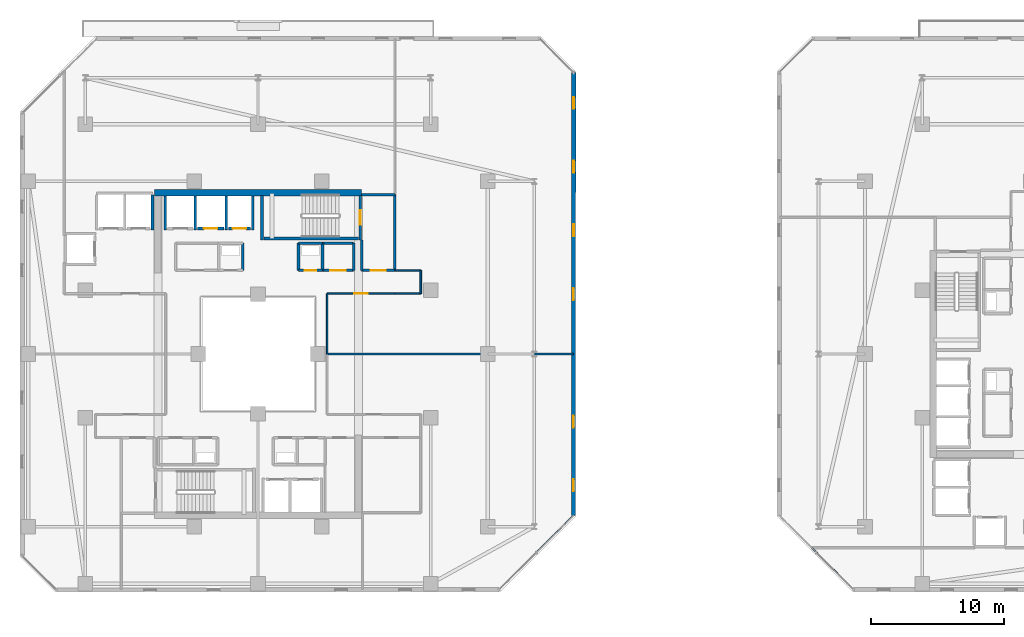
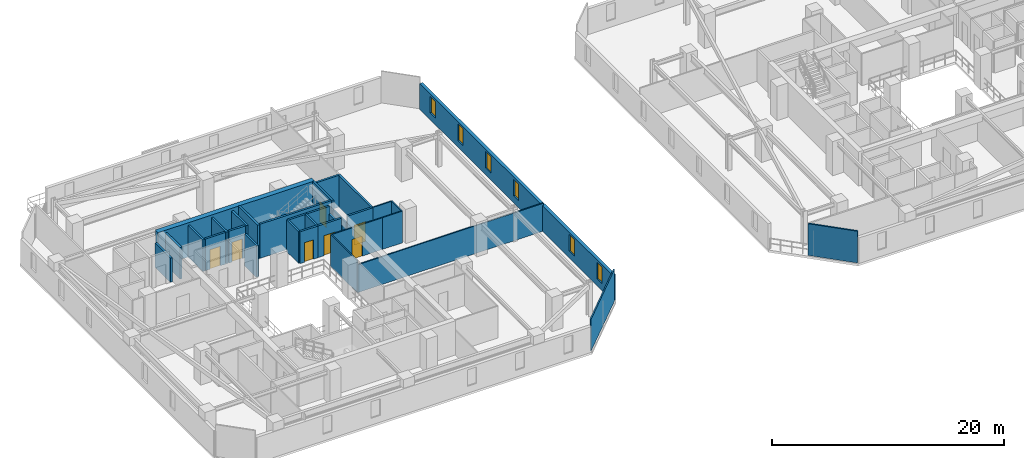
# One storey, part 21 of 32: 32 walls, 7 doors, 6 windows, 13 openings.
"""IFC4 building model written with IfcOpenShell, lengths in metres."""

from ifc_helpers import new_model, si_unit, direction, frame, frame_2d, origin, place, context, subcontext, project, spatial, rectangle, extrude, material, layer, layer_set, type_object, element, fill, save


model = new_model("IFC4")

# Units and contexts
model_context = context("Model", 3, precision=1e-05, world=origin(), true_north=direction((0.0, 1.0)))
body_context = subcontext(model_context, "Body", "Model", "MODEL_VIEW")
ifc_project = project(units=[si_unit("LENGTHUNIT", "METRE"), si_unit("AREAUNIT", "SQUARE_METRE"), si_unit("VOLUMEUNIT", "CUBIC_METRE"), si_unit("PLANEANGLEUNIT", "RADIAN"), si_unit("MASSUNIT", "GRAM", prefix="KILO")], contexts=[model_context])

# Site, building, storey
site_placement = place(None, origin())
site = spatial("IfcSite", under=ifc_project, at=site_placement, CompositionType="ELEMENT")
building_placement = place(site_placement, origin())
building = spatial("IfcBuilding", under=site, at=building_placement, Name="Thornwick Lancets Civic Towers", CompositionType="ELEMENT")
storey_placement = place(building_placement, frame((0.0, 0.0, 182.10009765625)))
storey = spatial("IfcBuildingStorey", under=building, at=storey_placement, Name="L48", CompositionType="ELEMENT", Elevation=182.10009765625)

# Wall, opening, door
ifc_material_1 = material(Name="Concrete blockwork C40/50", Category="masonry")
ifc_layer_1 = layer(ifc_material_1, 0.199951171875, Name="Concrete blockwork C40/50")
ifc_layer_set_1 = layer_set([ifc_layer_1], Name="Concrete blockwork C40/50")
wall_type_1 = type_object("IfcWallType", Name="WALL_COMP_200", PredefinedType="STANDARD", material=ifc_layer_set_1)
wall_1_placement = place(storey_placement, frame((24.919921875, 36.449951171875, 0.0), z_axis=(0.0, 0.0, 1.0), x_axis=(-1.0, 0.0, 0.0)))
wall_1 = element("IfcWall", 1, at=wall_1_placement, inside=storey, type_object=wall_type_1, Name="L48 Hoistway Front Wall FL-A2", PredefinedType="STANDARD", context=body_context, shape_type="SweptSolid", body=[
    extrude(rectangle(XDim=1.639892578125, YDim=0.199951171875, at=frame_2d((0.81982421875, 0.0))), origin(), (0.0, 0.0, 1.0), 3.33984375),
])
opening_1_placement = place(wall_1_placement, frame((0.31005859375, 0.0, 0.0)))
opening_1 = element("IfcOpeningElement", 2, at=opening_1_placement, cuts=wall_1, Name="Opening LD-FL-A2", PredefinedType="OPENING", context=body_context, shape_type="SweptSolid", body=[
    extrude(rectangle(XDim=1.02001953125, YDim=2.06005859375, at=frame_2d((0.510009765625, 1.030029296875))), frame((0.0, 0.10986328125, 0.0), z_axis=(0.0, -1.0, 0.0), x_axis=(1.0, 0.0, 0.0)), (0.0, 0.0, 1.0), 0.219970703125),
])
ifc_material_2 = material(Name="Brushed bronze stainless steel", Category="steel")
door_type_1 = type_object("IfcDoorType", Name="DOOR_LIFT_SLIDE", OperationType="SLIDING_TO_LEFT", PredefinedType="DOOR", material=ifc_material_2)
door_1_placement = place(opening_1_placement, origin())
door_1 = element("IfcDoor", 3, at=door_1_placement, inside=storey, type_object=door_type_1, Name="L48 Sliding Lift Landing Door LD-FL-A2", OperationType="SLIDING_TO_LEFT", OverallHeight=2.06005859375, OverallWidth=1.02001953125, PredefinedType="DOOR", context=body_context, shape_type="SweptSolid", body=[
    extrude(rectangle(XDim=1.02001953125, YDim=2.06005859375, at=frame_2d((0.510009765625, 1.030029296875))), frame((0.0, 0.02490234375, 0.0), z_axis=(0.0, -1.0, 0.0), x_axis=(1.0, 0.0, 0.0)), (0.0, 0.0, 1.0), 0.050048828125),
])
fill(opening_1, door_1)

wall_2_placement = place(storey_placement, frame((22.919921875, 36.449951171875, 0.0), z_axis=(0.0, 0.0, 1.0), x_axis=(-1.0, 0.0, 0.0)))
wall_2 = element("IfcWall", 4, at=wall_2_placement, inside=storey, type_object=wall_type_1, Name="L48 Hoistway Front Wall PL-AH2", PredefinedType="STANDARD", context=body_context, shape_type="SweptSolid", body=[
    extrude(rectangle(XDim=1.989990234375, YDim=0.199951171875, at=frame_2d((0.9951171875, 0.0))), origin(), (0.0, 0.0, 1.0), 3.33984375),
])
opening_2_placement = place(wall_2_placement, frame((0.485107421875, 0.0, 0.0)))
opening_2 = element("IfcOpeningElement", 5, at=opening_2_placement, cuts=wall_2, Name="Opening LD-PL-AH2", PredefinedType="OPENING", context=body_context, shape_type="SweptSolid", body=[
    extrude(rectangle(XDim=1.02001953125, YDim=2.06005859375, at=frame_2d((0.510009765625, 1.030029296875))), frame((0.0, 0.10986328125, 0.0), z_axis=(0.0, -1.0, 0.0), x_axis=(1.0, 0.0, 0.0)), (0.0, 0.0, 1.0), 0.219970703125),
])
door_2_placement = place(opening_2_placement, origin())
door_2 = element("IfcDoor", 6, at=door_2_placement, inside=storey, type_object=door_type_1, Name="L48 Sliding Lift Landing Door LD-PL-AH2", OperationType="SLIDING_TO_LEFT", OverallHeight=2.06005859375, OverallWidth=1.02001953125, PredefinedType="DOOR", context=body_context, shape_type="SweptSolid", body=[
    extrude(rectangle(XDim=1.02001953125, YDim=2.06005859375, at=frame_2d((0.510009765625, 1.030029296875))), frame((0.0, 0.02490234375, 0.0), z_axis=(0.0, -1.0, 0.0), x_axis=(1.0, 0.0, 0.0)), (0.0, 0.0, 1.0), 0.050048828125),
])
fill(opening_2, door_2)

# Walls
for number, where, z_axis, x_axis, name in (
    (7, (25.10009765625, 36.35205078125, 0.0), (0.0, 0.0, 1.0), (0.0, 1.0, 0.0), "L48 Hoistway Shaft Wall FL-A2 E"),
    (8, (23.10009765625, 36.35205078125, 0.0), (0.0, 0.0, 1.0), (0.0, 1.0, 0.0), "L48 Hoistway Shaft Wall FL-A2 W"),
    (9, (20.77490234375, 36.35205078125, 0.0), (0.0, 0.0, 1.0), (0.0, 1.0, 0.0), "L48 Hoistway Shaft Wall PL-AH2 W"),
    (10, (18.5, 36.35205078125, 0.0), (0.0, 0.0, 1.0), (0.0, 1.0, 0.0), "L48 Hoistway Shaft Wall PL-AH3 W"),
):
    element("IfcWall", number, at=place(storey_placement, frame(where, z_axis=z_axis, x_axis=x_axis)), inside=storey, type_object=wall_type_1, Name=name, PredefinedType="STANDARD", context=body_context, shape_type="SweptSolid", body=[
        extrude(rectangle(XDim=2.535888671875, YDim=0.199951171875, at=frame_2d((1.26806640625, 0.0))), origin(), (0.0, 0.0, 1.0), 3.33984375),
    ])
wall_3_placement = place(storey_placement, frame((17.550048828125, 36.35205078125, 0.0), z_axis=(0.0, 0.0, 1.0), x_axis=(0.0, 1.0, 0.0)))
element("IfcWall", 11, at=wall_3_placement, inside=storey, type_object=wall_type_1, Name="L48 Hoistway Shaft Wall PL-AM1 E", PredefinedType="STANDARD", context=body_context, shape_type="SweptSolid", body=[
    extrude(rectangle(XDim=2.635986328125, YDim=0.199951171875, at=frame_2d((1.31787109375, 0.0))), origin(), (0.0, 0.0, 1.0), 2.544921875),
])

# Wall, opening, door
wall_4_placement = place(storey_placement, frame((33.300048828125, 33.300048828125, 0.0), z_axis=(0.0, 0.0, 1.0), x_axis=(1.0, 0.0, 0.0)))
wall_4 = element("IfcWall", 12, at=wall_4_placement, inside=storey, type_object=wall_type_1, Name="L48 Partition L48-A-FFLOB2 E1", PredefinedType="STANDARD", context=body_context, shape_type="SweptSolid", body=[
    extrude(rectangle(XDim=2.5, YDim=0.199951171875, at=frame_2d((1.25, 0.0))), origin(), (0.0, 0.0, 1.0), 3.33984375),
])
opening_3_placement = place(wall_4_placement, frame((0.675048828125, 0.0, 0.0)))
opening_3 = element("IfcOpeningElement", 13, at=opening_3_placement, cuts=wall_4, Name="Opening D-L48-2126", PredefinedType="OPENING", context=body_context, shape_type="SweptSolid", body=[
    extrude(rectangle(XDim=1.14990234375, YDim=2.10009765625, at=frame_2d((0.574951171875, 1.050048828125))), frame((0.0, 0.10986328125, 0.0), z_axis=(0.0, -1.0, 0.0), x_axis=(1.0, 0.0, 0.0)), (0.0, 0.0, 1.0), 0.219970703125),
])
ifc_material_3 = material(Name="Glazed fire-resisting steel", Category="steel")
door_type_2 = type_object("IfcDoorType", Name="DOOR_LOBBY_FD60", OperationType="NOTDEFINED", PredefinedType="DOOR", material=ifc_material_3)
door_3_placement = place(opening_3_placement, origin())
door_3 = element("IfcDoor", 14, at=door_3_placement, inside=storey, type_object=door_type_2, Name="L48 North Firefighting Lobby 2 Door", OperationType="SINGLE_SWING_LEFT", OverallHeight=2.10009765625, OverallWidth=1.14990234375, PredefinedType="DOOR", context=body_context, shape_type="SweptSolid", body=[
    extrude(rectangle(XDim=1.14990234375, YDim=2.10009765625, at=frame_2d((0.574951171875, 1.050048828125))), frame((0.0, 0.02490234375, 0.0), z_axis=(0.0, -1.0, 0.0), x_axis=(1.0, 0.0, 0.0)), (0.0, 0.0, 1.0), 0.050048828125),
])
fill(opening_3, door_3)

# Walls
wall_5_placement = place(storey_placement, frame((35.800048828125, 33.300048828125, 0.0), z_axis=(0.0, 0.0, 1.0), x_axis=(0.0, 1.0, 0.0)))
element("IfcWall", 15, at=wall_5_placement, inside=storey, type_object=wall_type_1, Name="L48 Partition L48-A-FFLOB2 E2", PredefinedType="STANDARD", context=body_context, shape_type="SweptSolid", body=[
    extrude(rectangle(XDim=5.699951171875, YDim=0.199951171875, at=frame_2d((2.85009765625, 0.0))), origin(), (0.0, 0.0, 1.0), 3.33984375),
])
wall_6_placement = place(storey_placement, frame((35.800048828125, 39.0, 0.0), z_axis=(0.0, 0.0, 1.0), x_axis=(-1.0, 0.0, 0.0)))
element("IfcWall", 16, at=wall_6_placement, inside=storey, type_object=wall_type_1, Name="L48 Partition L48-A-FFLOB2 E3", PredefinedType="STANDARD", context=body_context, shape_type="SweptSolid", body=[
    extrude(rectangle(XDim=2.5, YDim=0.199951171875, at=frame_2d((1.25, 0.0))), origin(), (0.0, 0.0, 1.0), 3.33984375),
])
wall_7_placement = place(storey_placement, frame((33.300048828125, 35.60009765625, 0.0), z_axis=(0.0, 0.0, 1.0), x_axis=(0.0, -1.0, 0.0)))
element("IfcWall", 17, at=wall_7_placement, inside=storey, type_object=wall_type_1, Name="L48 Partition L48-A-FFLOB2 E4", PredefinedType="STANDARD", context=body_context, shape_type="SweptSolid", body=[
    extrude(rectangle(XDim=2.300048828125, YDim=0.199951171875, at=frame_2d((1.14990234375, 0.0))), origin(), (0.0, 0.0, 1.0), 2.544921875),
])
wall_8_placement = place(storey_placement, frame((24.35009765625, 33.300048828125, 0.0), z_axis=(0.0, 0.0, 1.0), x_axis=(0.0, 1.0, 0.0)))
element("IfcWall", 18, at=wall_8_placement, inside=storey, type_object=wall_type_1, Name="L48 Partition L48-A-DUCT2 E2", PredefinedType="STANDARD", context=body_context, shape_type="SweptSolid", body=[
    extrude(rectangle(XDim=2.050048828125, YDim=0.199951171875, at=frame_2d((1.02490234375, 0.0))), origin(), (0.0, 0.0, 1.0), 3.33984375),
])

# Wall, opening, door
wall_9_placement = place(storey_placement, frame((28.550048828125, 33.300048828125, 0.0), z_axis=(0.0, 0.0, 1.0), x_axis=(1.0, 0.0, 0.0)))
wall_9 = element("IfcWall", 19, at=wall_9_placement, inside=storey, type_object=wall_type_1, Name="L48 Partition L48-A-RISER2 E1", PredefinedType="STANDARD", context=body_context, shape_type="SweptSolid", body=[
    extrude(rectangle(XDim=1.800048828125, YDim=0.199951171875, at=frame_2d((0.89990234375, 0.0))), origin(), (0.0, 0.0, 1.0), 3.33984375),
])
opening_4_placement = place(wall_9_placement, frame((0.4599609375, 0.0, 0.0)))
opening_4 = element("IfcOpeningElement", 20, at=opening_4_placement, cuts=wall_9, Name="Opening D-L48-2130", PredefinedType="OPENING", context=body_context, shape_type="SweptSolid", body=[
    extrude(rectangle(XDim=0.8798828125, YDim=2.0400390625, at=frame_2d((0.43994140625, 1.02001953125))), frame((0.0, 0.10986328125, 0.0), z_axis=(0.0, -1.0, 0.0), x_axis=(1.0, 0.0, 0.0)), (0.0, 0.0, 1.0), 0.219970703125),
])
ifc_material_4 = material(Name="Steel riser access doorset", Category="steel")
door_type_3 = type_object("IfcDoorType", Name="DOOR_RISER_850", OperationType="NOTDEFINED", PredefinedType="DOOR", material=ifc_material_4)
door_4_placement = place(opening_4_placement, origin())
door_4 = element("IfcDoor", 21, at=door_4_placement, inside=storey, type_object=door_type_3, Name="L48 North Service Riser 2 Door", OperationType="SINGLE_SWING_LEFT", OverallHeight=2.0400390625, OverallWidth=0.8798828125, PredefinedType="DOOR", context=body_context, shape_type="SweptSolid", body=[
    extrude(rectangle(XDim=0.8798828125, YDim=2.0400390625, at=frame_2d((0.43994140625, 1.02001953125))), frame((0.0, 0.02490234375, 0.0), z_axis=(0.0, -1.0, 0.0), x_axis=(1.0, 0.0, 0.0)), (0.0, 0.0, 1.0), 0.050048828125),
])
fill(opening_4, door_4)

# Walls
wall_10_placement = place(storey_placement, frame((30.35009765625, 33.300048828125, 0.0), z_axis=(0.0, 0.0, 1.0), x_axis=(0.0, 1.0, 0.0)))
element("IfcWall", 22, at=wall_10_placement, inside=storey, type_object=wall_type_1, Name="L48 Partition L48-A-RISER2 E2", PredefinedType="STANDARD", context=body_context, shape_type="SweptSolid", body=[
    extrude(rectangle(XDim=2.050048828125, YDim=0.199951171875, at=frame_2d((1.02490234375, 0.0))), origin(), (0.0, 0.0, 1.0), 3.33984375),
])
wall_11_placement = place(storey_placement, frame((30.35009765625, 35.35009765625, 0.0), z_axis=(0.0, 0.0, 1.0), x_axis=(-1.0, 0.0, 0.0)))
element("IfcWall", 23, at=wall_11_placement, inside=storey, type_object=wall_type_1, Name="L48 Partition L48-A-RISER2 E3", PredefinedType="STANDARD", context=body_context, shape_type="SweptSolid", body=[
    extrude(rectangle(XDim=1.800048828125, YDim=0.199951171875, at=frame_2d((0.89990234375, 0.0))), origin(), (0.0, 0.0, 1.0), 3.33984375),
])
wall_12_placement = place(storey_placement, frame((28.550048828125, 35.35009765625, 0.0), z_axis=(0.0, 0.0, 1.0), x_axis=(0.0, -1.0, 0.0)))
element("IfcWall", 24, at=wall_12_placement, inside=storey, type_object=wall_type_1, Name="L48 Partition L48-A-RISER2 E4", PredefinedType="STANDARD", context=body_context, shape_type="SweptSolid", body=[
    extrude(rectangle(XDim=2.050048828125, YDim=0.199951171875, at=frame_2d((1.02490234375, 0.0))), origin(), (0.0, 0.0, 1.0), 3.33984375),
])
wall_13_placement = place(storey_placement, frame((32.699951171875, 35.35009765625, 0.0), z_axis=(0.0, 0.0, 1.0), x_axis=(0.0, -1.0, 0.0)))
element("IfcWall", 25, at=wall_13_placement, inside=storey, type_object=wall_type_1, Name="L48 Partition L48-A-STR E1", PredefinedType="STANDARD", context=body_context, shape_type="SweptSolid", body=[
    extrude(rectangle(XDim=2.050048828125, YDim=0.199951171875, at=frame_2d((1.02490234375, 0.0))), origin(), (0.0, 0.0, 1.0), 2.544921875),
])

# Wall, opening, door
wall_14_placement = place(storey_placement, frame((32.699951171875, 33.300048828125, 0.0), z_axis=(0.0, 0.0, 1.0), x_axis=(-1.0, 0.0, 0.0)))
wall_14 = element("IfcWall", 26, at=wall_14_placement, inside=storey, type_object=wall_type_1, Name="L48 Partition L48-A-STR E2", PredefinedType="STANDARD", context=body_context, shape_type="SweptSolid", body=[
    extrude(rectangle(XDim=2.349853515625, YDim=0.199951171875, at=frame_2d((1.1748046875, 0.0))), origin(), (0.0, 0.0, 1.0), 3.33984375),
])
opening_5_placement = place(wall_14_placement, frame((0.60009765625, 0.0, 0.0)))
opening_5 = element("IfcOpeningElement", 27, at=opening_5_placement, cuts=wall_14, Name="Opening D-L48-2135", PredefinedType="OPENING", context=body_context, shape_type="SweptSolid", body=[
    extrude(rectangle(XDim=1.14990234375, YDim=2.10009765625, at=frame_2d((0.574951171875, 1.050048828125))), frame((0.0, 0.10986328125, 0.0), z_axis=(0.0, -1.0, 0.0), x_axis=(1.0, 0.0, 0.0)), (0.0, 0.0, 1.0), 0.219970703125),
])
door_5_placement = place(opening_5_placement, origin())
door_5 = element("IfcDoor", 28, at=door_5_placement, inside=storey, type_object=door_type_2, Name="L48 Tower A Core Equipment Store Door", OperationType="SINGLE_SWING_RIGHT", OverallHeight=2.10009765625, OverallWidth=1.14990234375, PredefinedType="DOOR", context=body_context, shape_type="SweptSolid", body=[
    extrude(rectangle(XDim=1.14990234375, YDim=2.10009765625, at=frame_2d((0.574951171875, 1.050048828125))), frame((0.0, 0.02490234375, 0.0), z_axis=(0.0, -1.0, 0.0), x_axis=(1.0, 0.0, 0.0)), (0.0, 0.0, 1.0), 0.050048828125),
])
fill(opening_5, door_5)

# Walls
wall_15_placement = place(storey_placement, frame((30.35009765625, 35.35009765625, 0.0), z_axis=(0.0, 0.0, 1.0), x_axis=(1.0, 0.0, 0.0)))
element("IfcWall", 29, at=wall_15_placement, inside=storey, type_object=wall_type_1, Name="L48 Partition L48-A-STR E4", PredefinedType="STANDARD", context=body_context, shape_type="SweptSolid", body=[
    extrude(rectangle(XDim=2.349853515625, YDim=0.199951171875, at=frame_2d((1.1748046875, 0.0))), origin(), (0.0, 0.0, 1.0), 3.33984375),
])
ifc_material_5 = material(Name="Concrete C50/60", Category="concrete")
ifc_layer_2 = layer(ifc_material_5, 0.5, Name="Concrete C50/60")
ifc_layer_set_2 = layer_set([ifc_layer_2], Name="Concrete C50/60")
wall_type_2 = type_object("IfcWallType", Name="WALL_CORE_500", PredefinedType="SHEAR", material=ifc_layer_set_2)
wall_16_placement = place(storey_placement, frame((17.699951171875, 39.14990234375, 0.0), z_axis=(0.0, 0.0, 1.0), x_axis=(1.0, 0.0, 0.0)))
element("IfcWall", 30, at=wall_16_placement, inside=storey, type_object=wall_type_2, Name="L48 Split Core A2 Shear Wall N", PredefinedType="SHEAR", context=body_context, shape_type="SweptSolid", body=[
    extrude(rectangle(XDim=15.60009765625, YDim=0.5, at=frame_2d((7.800048828125, 0.0))), origin(), (0.0, 0.0, 1.0), 3.599853515625),
])

# Wall, openings, windows
ifc_material_6 = material(Name="Insulated buff terracotta rainscreen on concrete C40/50", Category="masonry")
ifc_layer_3 = layer(ifc_material_6, 0.320068359375, Name="Insulated buff terracotta rainscreen on concrete C40/50")
ifc_layer_set_3 = layer_set([ifc_layer_3], Name="Insulated buff terracotta rainscreen on concrete C40/50")
wall_type_3 = type_object("IfcWallType", Name="WALL_EXT_TERRA_320", PredefinedType="STANDARD", material=ifc_layer_set_3)
wall_17_placement = place(storey_placement, frame((49.254638671875, 14.85205078125, 0.0), z_axis=(0.0, 0.0, 1.0), x_axis=(0.000300328883, 0.999999954901, 0.0)))
wall_17 = element("IfcWall", 31, at=wall_17_placement, inside=storey, type_object=wall_type_3, Name="L48 Tower A Terracotta Facade Wall E2", PredefinedType="STANDARD", context=body_context, shape_type="SweptSolid", body=[
    extrude(rectangle(XDim=33.329345703125, YDim=0.320068359375, at=frame_2d((16.66455078125, 0.0))), origin(), (0.0, 0.0, 1.0), 2.699951171875),
])
opening_6_placement = place(wall_17_placement, frame((1.800048828125, 0.0, 0.719970703125)))
opening_6 = element("IfcOpeningElement", 32, at=opening_6_placement, cuts=wall_17, Name="Opening WL-01", PredefinedType="OPENING", context=body_context, shape_type="SweptSolid", body=[
    extrude(rectangle(XDim=0.89990234375, YDim=1.75, at=frame_2d((0.449951171875, 0.875))), frame((0.0, 0.169921875, 0.0), z_axis=(0.0, -1.0, 0.0), x_axis=(1.0, 0.0, 0.0)), (0.0, 0.0, 1.0), 0.340087890625),
])
opening_7_placement = place(wall_17_placement, frame((6.60009765625, 0.0, 0.719970703125)))
opening_7 = element("IfcOpeningElement", 33, at=opening_7_placement, cuts=wall_17, Name="Opening WL-01", PredefinedType="OPENING", context=body_context, shape_type="SweptSolid", body=[
    extrude(rectangle(XDim=0.89990234375, YDim=1.75, at=frame_2d((0.449951171875, 0.875))), frame((0.0, 0.169921875, 0.0), z_axis=(0.0, -1.0, 0.0), x_axis=(1.0, 0.0, 0.0)), (0.0, 0.0, 1.0), 0.340087890625),
])
opening_8_placement = place(wall_17_placement, frame((16.199951171875, 0.0, 0.719970703125)))
opening_8 = element("IfcOpeningElement", 34, at=opening_8_placement, cuts=wall_17, Name="Opening WL-01", PredefinedType="OPENING", context=body_context, shape_type="SweptSolid", body=[
    extrude(rectangle(XDim=0.89990234375, YDim=1.75, at=frame_2d((0.449951171875, 0.875))), frame((0.0, 0.169921875, 0.0), z_axis=(0.0, -1.0, 0.0), x_axis=(1.0, 0.0, 0.0)), (0.0, 0.0, 1.0), 0.340087890625),
])
opening_9_placement = place(wall_17_placement, frame((21.0, 0.0, 0.719970703125)))
opening_9 = element("IfcOpeningElement", 35, at=opening_9_placement, cuts=wall_17, Name="Opening WL-01", PredefinedType="OPENING", context=body_context, shape_type="SweptSolid", body=[
    extrude(rectangle(XDim=0.89990234375, YDim=1.75, at=frame_2d((0.449951171875, 0.875))), frame((0.0, 0.169921875, 0.0), z_axis=(0.0, -1.0, 0.0), x_axis=(1.0, 0.0, 0.0)), (0.0, 0.0, 1.0), 0.340087890625),
])
opening_10_placement = place(wall_17_placement, frame((25.800048828125, 0.0, 0.719970703125)))
opening_10 = element("IfcOpeningElement", 36, at=opening_10_placement, cuts=wall_17, Name="Opening WL-01", PredefinedType="OPENING", context=body_context, shape_type="SweptSolid", body=[
    extrude(rectangle(XDim=0.89990234375, YDim=1.75, at=frame_2d((0.449951171875, 0.875))), frame((0.0, 0.169921875, 0.0), z_axis=(0.0, -1.0, 0.0), x_axis=(1.0, 0.0, 0.0)), (0.0, 0.0, 1.0), 0.340087890625),
])
opening_11_placement = place(wall_17_placement, frame((30.60009765625, 0.0, 0.719970703125)))
opening_11 = element("IfcOpeningElement", 37, at=opening_11_placement, cuts=wall_17, Name="Opening WL-01", PredefinedType="OPENING", context=body_context, shape_type="SweptSolid", body=[
    extrude(rectangle(XDim=0.89990234375, YDim=1.75, at=frame_2d((0.449951171875, 0.875))), frame((0.0, 0.169921875, 0.0), z_axis=(0.0, -1.0, 0.0), x_axis=(1.0, 0.0, 0.0)), (0.0, 0.0, 1.0), 0.340087890625),
])
ifc_material_7 = material(Name="Clear low-e double glazing in bronze frame", Category="glass")
window_type = type_object("IfcWindowType", Name="WIN_LANCET_900", PartitioningType="SINGLE_PANEL", PredefinedType="WINDOW", material=ifc_material_7)
window_1_placement = place(opening_6_placement, origin())
window_1 = element("IfcWindow", 38, at=window_1_placement, inside=storey, type_object=window_type, Name="L48 Tower A Staggered Lancet Window E2-1", OverallHeight=1.75, OverallWidth=0.89990234375, PartitioningType="SINGLE_PANEL", PredefinedType="WINDOW", context=body_context, shape_type="SweptSolid", body=[
    extrude(rectangle(XDim=0.89990234375, YDim=1.75, at=frame_2d((0.449951171875, 0.875))), frame((0.0, 0.030029296875, 0.0), z_axis=(0.0, -1.0, 0.0), x_axis=(1.0, 0.0, 0.0)), (0.0, 0.0, 1.0), 0.06005859375),
])
fill(opening_6, window_1)
window_2_placement = place(opening_7_placement, origin())
window_2 = element("IfcWindow", 39, at=window_2_placement, inside=storey, type_object=window_type, Name="L48 Tower A Staggered Lancet Window E2-2", OverallHeight=1.75, OverallWidth=0.89990234375, PartitioningType="SINGLE_PANEL", PredefinedType="WINDOW", context=body_context, shape_type="SweptSolid", body=[
    extrude(rectangle(XDim=0.89990234375, YDim=1.75, at=frame_2d((0.449951171875, 0.875))), frame((0.0, 0.030029296875, 0.0), z_axis=(0.0, -1.0, 0.0), x_axis=(1.0, 0.0, 0.0)), (0.0, 0.0, 1.0), 0.06005859375),
])
fill(opening_7, window_2)
window_3_placement = place(opening_8_placement, origin())
window_3 = element("IfcWindow", 40, at=window_3_placement, inside=storey, type_object=window_type, Name="L48 Tower A Staggered Lancet Window E2-3", OverallHeight=1.75, OverallWidth=0.89990234375, PartitioningType="SINGLE_PANEL", PredefinedType="WINDOW", context=body_context, shape_type="SweptSolid", body=[
    extrude(rectangle(XDim=0.89990234375, YDim=1.75, at=frame_2d((0.449951171875, 0.875))), frame((0.0, 0.030029296875, 0.0), z_axis=(0.0, -1.0, 0.0), x_axis=(1.0, 0.0, 0.0)), (0.0, 0.0, 1.0), 0.06005859375),
])
fill(opening_8, window_3)
window_4_placement = place(opening_9_placement, origin())
window_4 = element("IfcWindow", 41, at=window_4_placement, inside=storey, type_object=window_type, Name="L48 Tower A Staggered Lancet Window E2-4", OverallHeight=1.75, OverallWidth=0.89990234375, PartitioningType="SINGLE_PANEL", PredefinedType="WINDOW", context=body_context, shape_type="SweptSolid", body=[
    extrude(rectangle(XDim=0.89990234375, YDim=1.75, at=frame_2d((0.449951171875, 0.875))), frame((0.0, 0.030029296875, 0.0), z_axis=(0.0, -1.0, 0.0), x_axis=(1.0, 0.0, 0.0)), (0.0, 0.0, 1.0), 0.06005859375),
])
fill(opening_9, window_4)
window_5_placement = place(opening_10_placement, origin())
window_5 = element("IfcWindow", 42, at=window_5_placement, inside=storey, type_object=window_type, Name="L48 Tower A Staggered Lancet Window E2-5", OverallHeight=1.75, OverallWidth=0.89990234375, PartitioningType="SINGLE_PANEL", PredefinedType="WINDOW", context=body_context, shape_type="SweptSolid", body=[
    extrude(rectangle(XDim=0.89990234375, YDim=1.75, at=frame_2d((0.449951171875, 0.875))), frame((0.0, 0.030029296875, 0.0), z_axis=(0.0, -1.0, 0.0), x_axis=(1.0, 0.0, 0.0)), (0.0, 0.0, 1.0), 0.06005859375),
])
fill(opening_10, window_5)
window_6_placement = place(opening_11_placement, origin())
window_6 = element("IfcWindow", 43, at=window_6_placement, inside=storey, type_object=window_type, Name="L48 Tower A Staggered Lancet Window E2-6", OverallHeight=1.75, OverallWidth=0.89990234375, PartitioningType="SINGLE_PANEL", PredefinedType="WINDOW", context=body_context, shape_type="SweptSolid", body=[
    extrude(rectangle(XDim=0.89990234375, YDim=1.75, at=frame_2d((0.449951171875, 0.875))), frame((0.0, 0.030029296875, 0.0), z_axis=(0.0, -1.0, 0.0), x_axis=(1.0, 0.0, 0.0)), (0.0, 0.0, 1.0), 0.06005859375),
])
fill(opening_11, window_6)

# Walls
ifc_material_8 = material(Name="Acoustic gypsum board partition")
ifc_layer_4 = layer(ifc_material_8, 0.1201171875, Name="Acoustic gypsum board partition")
ifc_layer_set_4 = layer_set([ifc_layer_4], Name="Acoustic gypsum board partition")
wall_type_4 = type_object("IfcWallType", Name="WALL_PART_120", PredefinedType="PARTITIONING", material=ifc_layer_set_4)
wall_18_placement = place(storey_placement, frame((30.699951171875, 27.0, 0.0), z_axis=(0.0, 0.0, 1.0), x_axis=(1.0, 0.0, 0.0)))
element("IfcWall", 44, at=wall_18_placement, inside=storey, type_object=wall_type_4, Name="L48 Partition L48-A-E1 E6", PredefinedType="PARTITIONING", context=body_context, shape_type="SweptSolid", body=[
    extrude(rectangle(XDim=18.52001953125, YDim=0.1201171875, at=frame_2d((9.260009765625, 0.0))), origin(), (0.0, 0.0, 1.0), 2.93212890625),
])
wall_19_placement = place(storey_placement, frame((49.219970703125, 14.820556640625, 0.0), z_axis=(0.0, 0.0, 1.0), x_axis=(-0.707106781187, -0.707106781187, 0.0)))
element("IfcWall", 45, at=wall_19_placement, inside=storey, type_object=wall_type_4, Name="L48 Partition L48-A-E1 E8", PredefinedType="PARTITIONING", context=body_context, shape_type="SweptSolid", body=[
    extrude(rectangle(XDim=7.83544921875, YDim=0.1201171875, at=frame_2d((3.917724609375, 0.0))), origin(), (0.0, 0.0, 1.0), 3.33984375),
])

# Wall, opening, door
wall_20_placement = place(storey_placement, frame((30.699951171875, 31.550048828125, 0.0), z_axis=(0.0, 0.0, 1.0), x_axis=(1.0, 0.0, 0.0)))
wall_20 = element("IfcWall", 46, at=wall_20_placement, inside=storey, type_object=wall_type_4, Name="L48 Partition L48-A-E3 E1", PredefinedType="PARTITIONING", context=body_context, shape_type="SweptSolid", body=[
    extrude(rectangle(XDim=5.10009765625, YDim=0.1201171875, at=frame_2d((2.550048828125, 0.0))), origin(), (0.0, 0.0, 1.0), 3.33984375),
])
opening_12_placement = place(wall_20_placement, frame((2.02490234375, 0.0, 0.0)))
opening_12 = element("IfcOpeningElement", 47, at=opening_12_placement, cuts=wall_20, Name="Opening D-L48-2151", PredefinedType="OPENING", context=body_context, shape_type="SweptSolid", body=[
    extrude(rectangle(XDim=1.050048828125, YDim=2.10009765625, at=frame_2d((0.52490234375, 1.050048828125))), frame((0.0, 0.070068359375, 0.0), z_axis=(0.0, -1.0, 0.0), x_axis=(1.0, 0.0, 0.0)), (0.0, 0.0, 1.0), 0.14013671875),
])
ifc_material_9 = material(Name="Glazed European oak executive doorset")
door_type_4 = type_object("IfcDoorType", Name="DOOR_OFFICE_1050", OperationType="NOTDEFINED", PredefinedType="DOOR", material=ifc_material_9)
door_6_placement = place(opening_12_placement, origin())
door_6 = element("IfcDoor", 48, at=door_6_placement, inside=storey, type_object=door_type_4, Name="L48 Tower A Civic Seminar Room Door", OperationType="SINGLE_SWING_RIGHT", OverallHeight=2.10009765625, OverallWidth=1.050048828125, PredefinedType="DOOR", context=body_context, shape_type="SweptSolid", body=[
    extrude(rectangle(XDim=1.050048828125, YDim=2.10009765625, at=frame_2d((0.52490234375, 1.050048828125))), frame((0.0, 0.02490234375, 0.0), z_axis=(0.0, -1.0, 0.0), x_axis=(1.0, 0.0, 0.0)), (0.0, 0.0, 1.0), 0.050048828125),
])
fill(opening_12, door_6)

# Walls
wall_21_placement = place(storey_placement, frame((35.800048828125, 31.550048828125, 0.0), z_axis=(0.0, 0.0, 1.0), x_axis=(1.0, 0.0, 0.0)))
element("IfcWall", 49, at=wall_21_placement, inside=storey, type_object=wall_type_4, Name="L48 Partition L48-A-E3 E2", PredefinedType="PARTITIONING", context=body_context, shape_type="SweptSolid", body=[
    extrude(rectangle(XDim=1.949951171875, YDim=0.1201171875, at=frame_2d((0.97509765625, 0.0))), origin(), (0.0, 0.0, 1.0), 3.33984375),
])
wall_22_placement = place(storey_placement, frame((37.75, 31.550048828125, 0.0), z_axis=(0.0, 0.0, 1.0), x_axis=(0.0, 1.0, 0.0)))
element("IfcWall", 50, at=wall_22_placement, inside=storey, type_object=wall_type_4, Name="L48 Partition L48-A-E3 E3", PredefinedType="PARTITIONING", context=body_context, shape_type="SweptSolid", body=[
    extrude(rectangle(XDim=1.75, YDim=0.1201171875, at=frame_2d((0.875, 0.0))), origin(), (0.0, 0.0, 1.0), 3.33984375),
])
wall_23_placement = place(storey_placement, frame((37.75, 33.300048828125, 0.0), z_axis=(0.0, 0.0, 1.0), x_axis=(-1.0, 0.0, 0.0)))
element("IfcWall", 51, at=wall_23_placement, inside=storey, type_object=wall_type_4, Name="L48 Partition L48-A-E3 E4", PredefinedType="PARTITIONING", context=body_context, shape_type="SweptSolid", body=[
    extrude(rectangle(XDim=1.949951171875, YDim=0.1201171875, at=frame_2d((0.97509765625, 0.0))), origin(), (0.0, 0.0, 1.0), 3.33984375),
])
wall_24_placement = place(storey_placement, frame((30.699951171875, 27.0, 0.0), z_axis=(0.0, 0.0, 1.0), x_axis=(0.0, 1.0, 0.0)))
element("IfcWall", 52, at=wall_24_placement, inside=storey, type_object=wall_type_4, Name="L48 Partition L48-A-E3 E11", PredefinedType="PARTITIONING", context=body_context, shape_type="SweptSolid", body=[
    extrude(rectangle(XDim=4.550048828125, YDim=0.1201171875, at=frame_2d((2.27490234375, 0.0))), origin(), (0.0, 0.0, 1.0), 3.33984375),
])
ifc_material_10 = material(Name="Twin-stud acoustic gypsum board")
ifc_layer_5 = layer(ifc_material_10, 0.14990234375, Name="Twin-stud acoustic gypsum board")
ifc_layer_set_5 = layer_set([ifc_layer_5], Name="Twin-stud acoustic gypsum board")
wall_type_5 = type_object("IfcWallType", Name="WALL_PART_150", PredefinedType="PARTITIONING", material=ifc_layer_set_5)
wall_25_placement = place(storey_placement, frame((70.320556640625, 9.280029296875, 0.0), z_axis=(0.0, 0.0, 1.0), x_axis=(-0.707106781187, 0.707106781187, 0.0)))
element("IfcWall", 53, at=wall_25_placement, inside=storey, type_object=wall_type_5, Name="L48 Partition L48-B-W2 E5", PredefinedType="PARTITIONING", context=body_context, shape_type="SweptSolid", body=[
    extrude(rectangle(XDim=4.412109375, YDim=0.14990234375, at=frame_2d((2.2060546875, 0.0))), origin(), (0.0, 0.0, 1.0), 3.33984375),
])

# Wall, opening, door
ifc_material_11 = material(Name="Concrete C40/50", Category="concrete")
ifc_layer_6 = layer(ifc_material_11, 0.199951171875, Name="Concrete C40/50")
ifc_layer_set_6 = layer_set([ifc_layer_6], Name="Concrete C40/50")
wall_type_6 = type_object("IfcWallType", Name="WALL_SHAFT_200", PredefinedType="SHEAR", material=ifc_layer_set_6)
wall_26_placement = place(storey_placement, frame((33.199951171875, 38.949951171875, 0.0), z_axis=(0.0, 0.0, 1.0), x_axis=(0.0, -1.0, 0.0)))
wall_26 = element("IfcWall", 54, at=wall_26_placement, inside=storey, type_object=wall_type_6, Name="L48 ST-A2 Fire Stair Core Wall NEAR", PredefinedType="SHEAR", context=body_context, shape_type="SweptSolid", body=[
    extrude(rectangle(XDim=3.349853515625, YDim=0.199951171875, at=frame_2d((1.6748046875, 0.0))), origin(), (0.0, 0.0, 1.0), 3.599853515625),
])
opening_13_placement = place(wall_26_placement, frame((1.125, 0.0, 0.0)))
opening_13 = element("IfcOpeningElement", 55, at=opening_13_placement, cuts=wall_26, Name="Opening D-ST-A2-L48", PredefinedType="OPENING", context=body_context, shape_type="SweptSolid", body=[
    extrude(rectangle(XDim=1.10009765625, YDim=2.10009765625, at=frame_2d((0.550048828125, 1.050048828125))), frame((0.0, 0.10986328125, 0.0), z_axis=(0.0, -1.0, 0.0), x_axis=(1.0, 0.0, 0.0)), (0.0, 0.0, 1.0), 0.219970703125),
])
ifc_material_12 = material(Name="Fire-resisting steel and hardwood", Category="steel")
door_type_5 = type_object("IfcDoorType", Name="DOOR_STAIR_FD60", OperationType="NOTDEFINED", PredefinedType="DOOR", material=ifc_material_12)
door_7_placement = place(opening_13_placement, origin())
door_7 = element("IfcDoor", 56, at=door_7_placement, inside=storey, type_object=door_type_5, Name="L48 ST-A2 Exit Stair Door", OperationType="SINGLE_SWING_LEFT", OverallHeight=2.10009765625, OverallWidth=1.10009765625, PredefinedType="DOOR", context=body_context, shape_type="SweptSolid", body=[
    extrude(rectangle(XDim=1.10009765625, YDim=2.10009765625, at=frame_2d((0.550048828125, 1.050048828125))), frame((0.0, 0.02490234375, 0.0), z_axis=(0.0, -1.0, 0.0), x_axis=(1.0, 0.0, 0.0)), (0.0, 0.0, 1.0), 0.050048828125),
])
fill(opening_13, door_7)

# Walls
wall_27_placement = place(storey_placement, frame((25.800048828125, 35.60009765625, 0.0), z_axis=(0.0, 0.0, 1.0), x_axis=(0.0, 1.0, 0.0)))
element("IfcWall", 57, at=wall_27_placement, inside=storey, type_object=wall_type_6, Name="L48 ST-A2 Fire Stair Core Wall FAR", PredefinedType="SHEAR", context=body_context, shape_type="SweptSolid", body=[
    extrude(rectangle(XDim=3.349853515625, YDim=0.199951171875, at=frame_2d((1.6748046875, 0.0))), origin(), (0.0, 0.0, 1.0), 3.599853515625),
])
wall_28_placement = place(storey_placement, frame((25.949951171875, 35.702880859375, 0.0), z_axis=(0.0, 0.0, 1.0), x_axis=(1.0, 0.0, 0.0)))
element("IfcWall", 58, at=wall_28_placement, inside=storey, type_object=wall_type_6, Name="L48 ST-A2 Fire Stair Core Wall RIGHT", PredefinedType="SHEAR", context=body_context, shape_type="SweptSolid", body=[
    extrude(rectangle(XDim=7.10009765625, YDim=0.199951171875, at=frame_2d((3.550048828125, 0.0))), origin(), (0.0, 0.0, 1.0), 3.599853515625),
])

save(model, "model.ifc")
